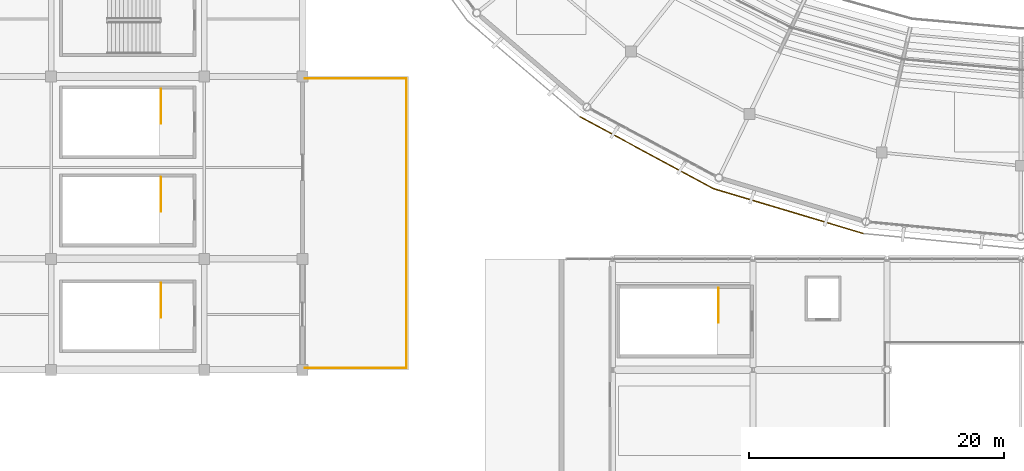
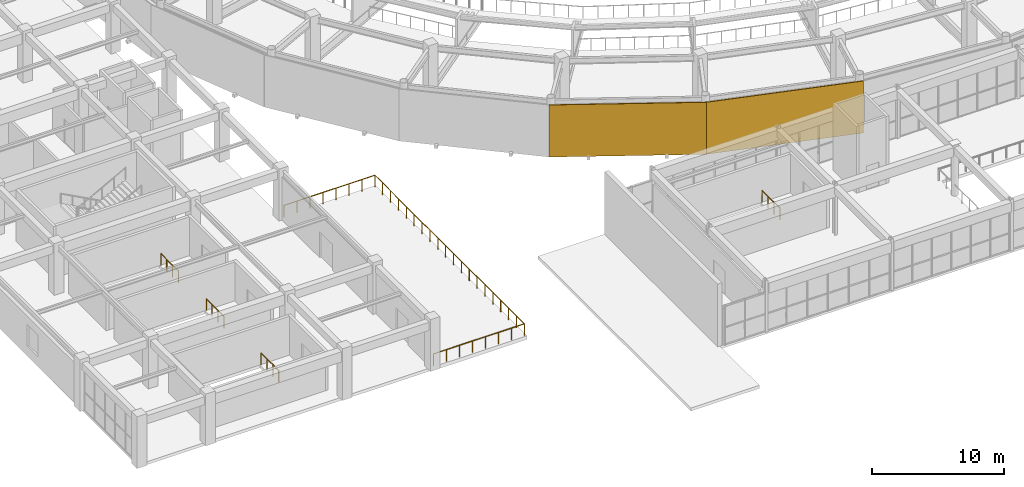
# One storey, part 112 of 122: 7 railings, 2 coverings.
"""IFC4 building model written with IfcOpenShell, lengths in metres."""

from ifc_helpers import new_model, si_unit, direction, frame, frame_2d, origin, origin_2d, place, context, subcontext, project, spatial, rectangle, circle, extrude, material, layer, layer_set, type_object, element, save


model = new_model("IFC4")

# Units and contexts
model_context = context("Model", 3, precision=1e-05, world=origin(), true_north=direction((0.0, 1.0)))
body_context = subcontext(model_context, "Body", "Model", "MODEL_VIEW")
ifc_project = project(units=[si_unit("LENGTHUNIT", "METRE"), si_unit("AREAUNIT", "SQUARE_METRE"), si_unit("VOLUMEUNIT", "CUBIC_METRE"), si_unit("PLANEANGLEUNIT", "RADIAN"), si_unit("MASSUNIT", "GRAM", prefix="KILO")], contexts=[model_context])

# Site, building, storey
site_placement = place(None, origin())
site = spatial("IfcSite", under=ifc_project, at=site_placement, CompositionType="ELEMENT")
building_placement = place(site_placement, origin())
building = spatial("IfcBuilding", under=site, at=building_placement, Name="Cuetzalor Civic Arena", CompositionType="ELEMENT")
storey_placement = place(building_placement, frame((0.0, 0.0, 16.199951171875)))
storey = spatial("IfcBuildingStorey", under=building, at=storey_placement, Name="L03", CompositionType="ELEMENT", Elevation=16.199951171875)

# Railings
ifc_material_1 = material(Name="Reseda-green architectural Steel S355 balustrade", Category="steel")
railing_type_1 = type_object("IfcRailingType", Name="InteriorVoidBalustrade_1100", PredefinedType="BALUSTRADE", material=ifc_material_1)
for number, where, name in (
    (1, (-23.699951171875, -50.60009765625, 0.0), "L03 ST-10 top well guard 1"),
    (2, (-67.39990234375, -50.199951171875, 0.0), "L03 ST-13 top well guard 1"),
):
    element("IfcRailing", number, at=place(storey_placement, frame(where)), inside=storey, type_object=railing_type_1, Name=name, PredefinedType="BALUSTRADE", context=body_context, shape_type="SweptSolid", body=[
        extrude(circle(Radius=0.02392578125, at=origin_2d()), frame((0.0, 0.0, 1.0810546875), z_axis=(0.0, -1.0, 0.0), x_axis=(1.0, 0.0, 0.0)), (0.0, 0.0, 1.0), 2.699951171875),
        extrude(circle(Radius=0.02099609375, at=origin_2d()), origin(), (0.0, 0.0, 1.0), 1.056884765625),
        extrude(circle(Radius=0.02099609375, at=origin_2d()), frame((0.0, -0.89990234375, 0.0)), (0.0, 0.0, 1.0), 1.056884765625),
        extrude(circle(Radius=0.02099609375, at=origin_2d()), frame((0.0, -1.800048828125, 0.0)), (0.0, 0.0, 1.0), 1.056884765625),
        extrude(circle(Radius=0.02099609375, at=origin_2d()), frame((0.0, -2.699951171875, 0.0)), (0.0, 0.0, 1.0), 1.056884765625),
    ])
railing_1_placement = place(storey_placement, frame((-67.39990234375, -41.89990234375, 0.0)))
element("IfcRailing", 3, at=railing_1_placement, inside=storey, type_object=railing_type_1, Name="L03 ST-14 top well guard 1", PredefinedType="BALUSTRADE", context=body_context, shape_type="SweptSolid", body=[
    extrude(circle(Radius=0.02392578125, at=origin_2d()), frame((0.0, 0.0, 1.0810546875), z_axis=(0.0, -1.0, 0.0), x_axis=(1.0, 0.0, 0.0)), (0.0, 0.0, 1.0), 2.7001953125),
    extrude(circle(Radius=0.02099609375, at=origin_2d()), origin(), (0.0, 0.0, 1.0), 1.056884765625),
    extrude(circle(Radius=0.02099609375, at=origin_2d()), frame((0.0, -0.900146484375, 0.0)), (0.0, 0.0, 1.0), 1.056884765625),
    extrude(circle(Radius=0.02099609375, at=origin_2d()), frame((0.0, -1.800048828125, 0.0)), (0.0, 0.0, 1.0), 1.056884765625),
    extrude(circle(Radius=0.02099609375, at=origin_2d()), frame((0.0, -2.7001953125, 0.0)), (0.0, 0.0, 1.0), 1.056884765625),
])
railing_2_placement = place(storey_placement, frame((-67.39990234375, -35.0, 0.0)))
element("IfcRailing", 4, at=railing_2_placement, inside=storey, type_object=railing_type_1, Name="L03 ST-15 top well guard 1", PredefinedType="BALUSTRADE", context=body_context, shape_type="SweptSolid", body=[
    extrude(circle(Radius=0.02392578125, at=origin_2d()), frame((0.0, 0.0, 1.0810546875), z_axis=(0.0, -1.0, 0.0), x_axis=(1.0, 0.0, 0.0)), (0.0, 0.0, 1.0), 2.699951171875),
    extrude(circle(Radius=0.02099609375, at=origin_2d()), origin(), (0.0, 0.0, 1.0), 1.056884765625),
    extrude(circle(Radius=0.02099609375, at=origin_2d()), frame((0.0, -0.89990234375, 0.0)), (0.0, 0.0, 1.0), 1.056884765625),
    extrude(circle(Radius=0.02099609375, at=origin_2d()), frame((0.0, -1.800048828125, 0.0)), (0.0, 0.0, 1.0), 1.056884765625),
    extrude(circle(Radius=0.02099609375, at=origin_2d()), frame((0.0, -2.699951171875, 0.0)), (0.0, 0.0, 1.0), 1.056884765625),
])
ifc_material_2 = material(Name="Reseda-green architectural Steel S355 balustrade", Category="steel")
railing_type_2 = type_object("IfcRailingType", Name="TerraceBalustrade_1100", PredefinedType="BALUSTRADE", material=ifc_material_2)
railing_3_placement = place(storey_placement, frame((-56.10009765625, -56.85009765625, 0.0)))
element("IfcRailing", 5, at=railing_3_placement, inside=storey, type_object=railing_type_2, Name="Planted Roof Garden V4W L03 Balustrade 1", PredefinedType="BALUSTRADE", context=body_context, shape_type="SweptSolid", body=[
    extrude(circle(Radius=0.02392578125, at=origin_2d()), frame((0.0, 0.0, 1.076171875), z_axis=(1.0, 0.0, 0.0), x_axis=(0.0, 1.0, 0.0)), (0.0, 0.0, 1.0), 7.9501953125),
    extrude(circle(Radius=0.02099609375, at=origin_2d()), origin(), (0.0, 0.0, 1.0), 1.052001953125),
    extrude(circle(Radius=0.02099609375, at=origin_2d()), frame((1.1357421875, 0.0, 0.0)), (0.0, 0.0, 1.0), 1.052001953125),
    extrude(circle(Radius=0.02099609375, at=origin_2d()), frame((2.271484375, 0.0, 0.0)), (0.0, 0.0, 1.0), 1.052001953125),
    extrude(circle(Radius=0.02099609375, at=origin_2d()), frame((3.4072265625, 0.0, 0.0)), (0.0, 0.0, 1.0), 1.052001953125),
    extrude(circle(Radius=0.02099609375, at=origin_2d()), frame((4.54296875, 0.0, 0.0)), (0.0, 0.0, 1.0), 1.052001953125),
    extrude(circle(Radius=0.02099609375, at=origin_2d()), frame((5.6787109375, 0.0, 0.0)), (0.0, 0.0, 1.0), 1.052001953125),
    extrude(circle(Radius=0.02099609375, at=origin_2d()), frame((6.814453125, 0.0, 0.0)), (0.0, 0.0, 1.0), 1.052001953125),
    extrude(circle(Radius=0.02099609375, at=origin_2d()), frame((7.9501953125, 0.0, 0.0)), (0.0, 0.0, 1.0), 1.052001953125),
])
railing_4_placement = place(storey_placement, frame((-48.14990234375, -56.85009765625, 0.0)))
element("IfcRailing", 6, at=railing_4_placement, inside=storey, type_object=railing_type_2, Name="Planted Roof Garden V4W L03 Balustrade 2", PredefinedType="BALUSTRADE", context=body_context, shape_type="SweptSolid", body=[
    extrude(circle(Radius=0.02392578125, at=origin_2d()), frame((0.0, 0.0, 1.076171875), z_axis=(0.0, 1.0, 0.0), x_axis=(-1.0, 0.0, 0.0)), (0.0, 0.0, 1.0), 22.7001953125),
    extrude(circle(Radius=0.02099609375, at=origin_2d()), origin(), (0.0, 0.0, 1.0), 1.052001953125),
    extrude(circle(Radius=0.02099609375, at=origin_2d()), frame((0.0, 1.19482421875, 0.0)), (0.0, 0.0, 1.0), 1.052001953125),
    extrude(circle(Radius=0.02099609375, at=origin_2d()), frame((0.0, 2.389404296875, 0.0)), (0.0, 0.0, 1.0), 1.052001953125),
    extrude(circle(Radius=0.02099609375, at=origin_2d()), frame((0.0, 3.584228515625, 0.0)), (0.0, 0.0, 1.0), 1.052001953125),
    extrude(circle(Radius=0.02099609375, at=origin_2d()), frame((0.0, 4.779052734375, 0.0)), (0.0, 0.0, 1.0), 1.052001953125),
    extrude(circle(Radius=0.02099609375, at=origin_2d()), frame((0.0, 5.9736328125, 0.0)), (0.0, 0.0, 1.0), 1.052001953125),
    extrude(circle(Radius=0.02099609375, at=origin_2d()), frame((0.0, 7.16845703125, 0.0)), (0.0, 0.0, 1.0), 1.052001953125),
    extrude(circle(Radius=0.02099609375, at=origin_2d()), frame((0.0, 8.36328125, 0.0)), (0.0, 0.0, 1.0), 1.052001953125),
    extrude(circle(Radius=0.02099609375, at=origin_2d()), frame((0.0, 9.557861328125, 0.0)), (0.0, 0.0, 1.0), 1.052001953125),
    extrude(circle(Radius=0.02099609375, at=origin_2d()), frame((0.0, 10.752685546875, 0.0)), (0.0, 0.0, 1.0), 1.052001953125),
    extrude(circle(Radius=0.02099609375, at=origin_2d()), frame((0.0, 11.947509765625, 0.0)), (0.0, 0.0, 1.0), 1.052001953125),
    extrude(circle(Radius=0.02099609375, at=origin_2d()), frame((0.0, 13.142333984375, 0.0)), (0.0, 0.0, 1.0), 1.052001953125),
    extrude(circle(Radius=0.02099609375, at=origin_2d()), frame((0.0, 14.3369140625, 0.0)), (0.0, 0.0, 1.0), 1.052001953125),
    extrude(circle(Radius=0.02099609375, at=origin_2d()), frame((0.0, 15.53173828125, 0.0)), (0.0, 0.0, 1.0), 1.052001953125),
    extrude(circle(Radius=0.02099609375, at=origin_2d()), frame((0.0, 16.7265625, 0.0)), (0.0, 0.0, 1.0), 1.052001953125),
    extrude(circle(Radius=0.02099609375, at=origin_2d()), frame((0.0, 17.921142578125, 0.0)), (0.0, 0.0, 1.0), 1.052001953125),
    extrude(circle(Radius=0.02099609375, at=origin_2d()), frame((0.0, 19.115966796875, 0.0)), (0.0, 0.0, 1.0), 1.052001953125),
    extrude(circle(Radius=0.02099609375, at=origin_2d()), frame((0.0, 20.310791015625, 0.0)), (0.0, 0.0, 1.0), 1.052001953125),
    extrude(circle(Radius=0.02099609375, at=origin_2d()), frame((0.0, 21.50537109375, 0.0)), (0.0, 0.0, 1.0), 1.052001953125),
    extrude(circle(Radius=0.02099609375, at=origin_2d()), frame((0.0, 22.7001953125, 0.0)), (0.0, 0.0, 1.0), 1.052001953125),
])
railing_5_placement = place(storey_placement, frame((-48.14990234375, -34.14990234375, 0.0)))
element("IfcRailing", 7, at=railing_5_placement, inside=storey, type_object=railing_type_2, Name="Planted Roof Garden V4W L03 Balustrade 3", PredefinedType="BALUSTRADE", context=body_context, shape_type="SweptSolid", body=[
    extrude(circle(Radius=0.02392578125, at=origin_2d()), frame((0.0, 0.0, 1.076171875), z_axis=(-1.0, 0.0, 0.0), x_axis=(0.0, -1.0, 0.0)), (0.0, 0.0, 1.0), 7.9501953125),
    extrude(circle(Radius=0.02099609375, at=origin_2d()), origin(), (0.0, 0.0, 1.0), 1.052001953125),
    extrude(circle(Radius=0.02099609375, at=origin_2d()), frame((-1.1357421875, 0.0, 0.0)), (0.0, 0.0, 1.0), 1.052001953125),
    extrude(circle(Radius=0.02099609375, at=origin_2d()), frame((-2.271484375, 0.0, 0.0)), (0.0, 0.0, 1.0), 1.052001953125),
    extrude(circle(Radius=0.02099609375, at=origin_2d()), frame((-3.4072265625, 0.0, 0.0)), (0.0, 0.0, 1.0), 1.052001953125),
    extrude(circle(Radius=0.02099609375, at=origin_2d()), frame((-4.54296875, 0.0, 0.0)), (0.0, 0.0, 1.0), 1.052001953125),
    extrude(circle(Radius=0.02099609375, at=origin_2d()), frame((-5.6787109375, 0.0, 0.0)), (0.0, 0.0, 1.0), 1.052001953125),
    extrude(circle(Radius=0.02099609375, at=origin_2d()), frame((-6.814453125, 0.0, 0.0)), (0.0, 0.0, 1.0), 1.052001953125),
    extrude(circle(Radius=0.02099609375, at=origin_2d()), frame((-7.9501953125, 0.0, 0.0)), (0.0, 0.0, 1.0), 1.052001953125),
])

# Coverings
ifc_material_3 = material(Name="Terracotta-red perforated anodised aluminium panel", Category="masonry")
ifc_layer = layer(ifc_material_3, 0.080078125)
ifc_layer_set = layer_set([ifc_layer], Name="Terracotta-red perforated anodised aluminium panel")
covering_type = type_object("IfcCoveringType", Name="TerracottaPerforatedScreenPanel", PredefinedType="CLADDING", material=ifc_layer_set)
covering_1_placement = place(storey_placement, frame((-24.08056640625, -42.7958984375, -0.139892578125), z_axis=(0.0, 0.0, 1.0), x_axis=(-0.880729476331, 0.473619667584, 0.0)))
element("IfcCovering", 8, at=covering_1_placement, inside=storey, type_object=covering_type, Name="Terracotta Perforated Drum Screen L03-S19", PredefinedType="CLADDING", context=body_context, shape_type="SweptSolid", body=[
    extrude(rectangle(XDim=11.9482421875, YDim=0.080078125, at=frame_2d((5.97412109375, 0.0))), origin(), (0.0, 0.0, 1.0), 4.81982421875),
])
covering_2_placement = place(storey_placement, frame((-12.349853515625, -46.30908203125, -0.139892578125), z_axis=(0.0, 0.0, 1.0), x_axis=(-0.957961714935, 0.286896066056, 0.0)))
element("IfcCovering", 9, at=covering_2_placement, inside=storey, type_object=covering_type, Name="Terracotta Perforated Drum Screen L03-S20", PredefinedType="CLADDING", context=body_context, shape_type="SweptSolid", body=[
    extrude(rectangle(XDim=12.24560546875, YDim=0.080078125, at=frame_2d((6.122802734375, 0.0))), origin(), (0.0, 0.0, 1.0), 4.81982421875),
])

save(model, "model.ifc")
